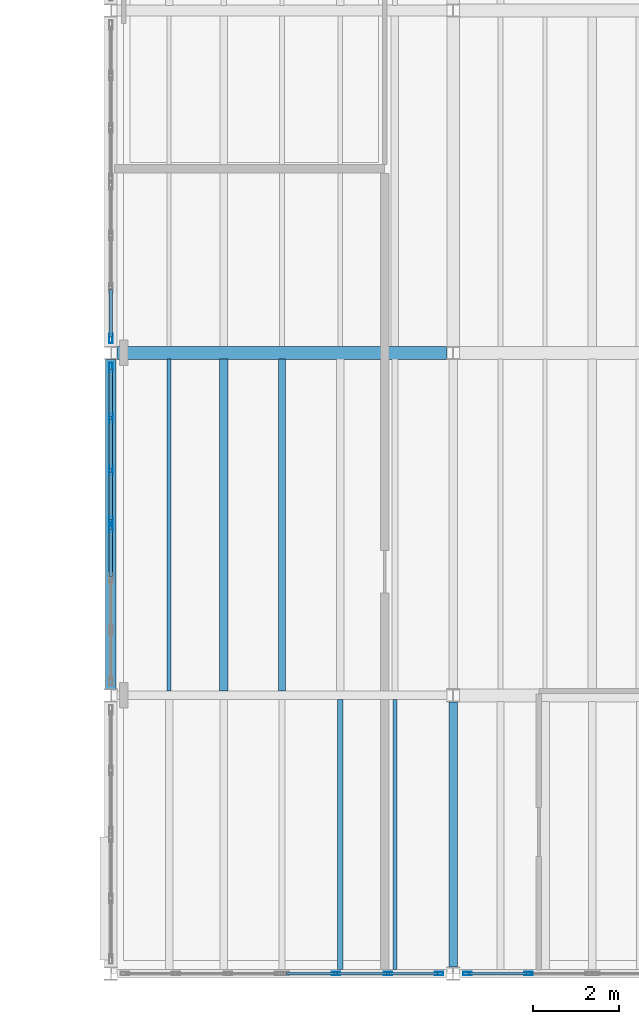
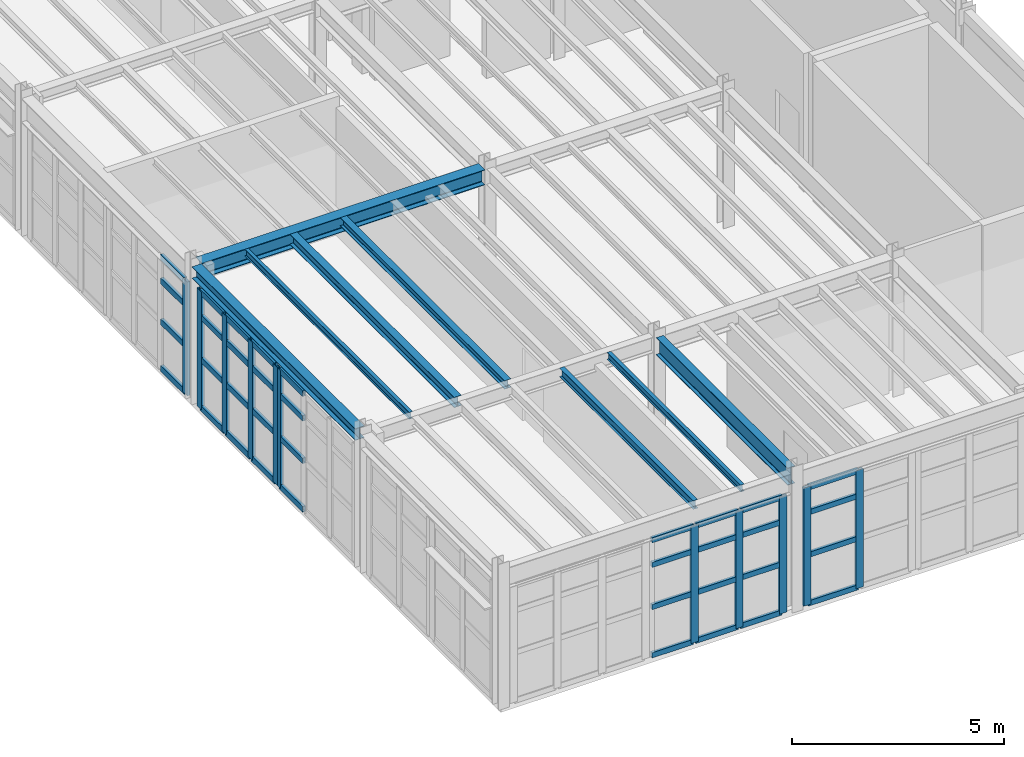
# One storey, part 4 of 27: 47 members, 8 beams, 5 elements without a shape of their own.
"""IFC4 building model written with IfcOpenShell, lengths in metres."""

import ifcopenshell
import ifcopenshell.guid

model = None  # the IFC model being written
_history = None  # IfcOwnerHistory: only IFC2X3 demands one
_inside = {}  # id of a spatial element -> (the spatial element, [elements in it])
_under = {}  # id of a project, library or spatial element -> (it, [spatial elements below it])
_declared = {}  # id of a project -> (the project, [libraries it declares])
_typed = {}  # id of a type object -> (the type object, [elements of that type])
_made_of = {}  # id of a material, layer set ... -> (it, [elements and type objects made of it])


def new_model(schema):
    """Start an empty IFC model of exactly this schema.

    Asked for "IFC4X3", IfcOpenShell would pick the latest addendum, in which some entities
    have other attributes; the version numbers below select the first issue.
    IFC2X3 requires an IfcOwnerHistory on every rooted entity: one is made here for all.
    """
    global model, _history
    if schema == "IFC4X3":
        model = ifcopenshell.file(schema_version=(4, 3, 0, 0))
    else:
        model = ifcopenshell.file(schema=schema)
    _inside.clear()
    _under.clear()
    _declared.clear()
    _typed.clear()
    _made_of.clear()
    _history = None
    if model.schema == "IFC2X3":
        org = make("IfcOrganization", Name="unknown")
        user = make(
            "IfcPersonAndOrganization",
            ThePerson=make("IfcPerson", FamilyName="unknown"),
            TheOrganization=org,
        )
        app = make(
            "IfcApplication",
            ApplicationDeveloper=org,
            Version="unknown",
            ApplicationFullName="unknown",
            ApplicationIdentifier="unknown",
        )
        _history = make(
            "IfcOwnerHistory",
            OwningUser=user,
            OwningApplication=app,
            ChangeAction="ADDED",
            CreationDate=0,
        )
    return model


def make(cls, **values):
    """One entity of the class cls with the attributes given. An attribute that is None is left unset."""
    return model.create_entity(
        cls, **{name: value for name, value in values.items() if value is not None}
    )


def rooted(cls, **values):
    """An entity with a GlobalId (a new one), such as an element, a storey or a relation."""
    return make(cls, GlobalId=ifcopenshell.guid.new(), OwnerHistory=_history, **values)


def si_unit(unit_type, name, prefix=None):
    """IfcSIUnit, for example si_unit("LENGTHUNIT", "METRE", prefix="MILLI")."""
    return make("IfcSIUnit", UnitType=unit_type, Prefix=prefix, Name=name)


def assignment(units):
    """IfcUnitAssignment: the units of a project."""
    return None if units is None else make("IfcUnitAssignment", Units=units)


def point(xyz):
    """IfcCartesianPoint."""
    return None if xyz is None else make("IfcCartesianPoint", Coordinates=xyz)


def direction(xyz):
    """IfcDirection."""
    return None if xyz is None else make("IfcDirection", DirectionRatios=xyz)


def frame(location, z_axis=None, x_axis=None):
    """IfcAxis2Placement3D, a coordinate frame: its origin and axes. An axis left out is left unset."""
    return make(
        "IfcAxis2Placement3D",
        Location=point(location),
        Axis=direction(z_axis),
        RefDirection=direction(x_axis),
    )


def frame_2d(location, x_axis=None):
    """IfcAxis2Placement2D, a coordinate frame in the plane: its origin and x axis."""
    return make(
        "IfcAxis2Placement2D", Location=point(location), RefDirection=direction(x_axis)
    )


def origin():
    """The frame at (0, 0, 0) with its axes left unset."""
    return frame((0.0, 0.0, 0.0))


def origin_2d():
    """The frame at (0, 0) in the plane with its x axis left unset."""
    return frame_2d((0.0, 0.0))


def place(relative_to, where):
    """IfcLocalPlacement: puts the frame where relative to a parent placement (None: the world)."""
    return make(
        "IfcLocalPlacement", PlacementRelTo=relative_to, RelativePlacement=where
    )


def context(
    kind, dimensions, precision=None, world=None, true_north=None, identifier=None
):
    """IfcGeometricRepresentationContext, for example the 3D "Model" context."""
    return make(
        "IfcGeometricRepresentationContext",
        ContextIdentifier=identifier,
        ContextType=kind,
        CoordinateSpaceDimension=dimensions,
        Precision=precision,
        WorldCoordinateSystem=world,
        TrueNorth=true_north,
    )


def subcontext(parent, identifier, kind, view, scale=None):
    """IfcGeometricRepresentationSubContext, for example "Body" below "Model"."""
    return make(
        "IfcGeometricRepresentationSubContext",
        ContextIdentifier=identifier,
        ContextType=kind,
        ParentContext=parent,
        TargetScale=scale,
        TargetView=view,
    )


def project(units=None, contexts=None):
    """IfcProject with its units and contexts."""
    return rooted(
        "IfcProject",
        Name="project",
        RepresentationContexts=contexts,
        UnitsInContext=assignment(units),
    )


def spatial(cls, under=None, at=None, **own):
    """A site, building, storey or space (cls), placed at a placement, below another one or the project."""
    s = rooted(cls, ObjectPlacement=at, **own)
    if under is not None:
        _under.setdefault(under.id(), (under, []))[1].append(s)
    return s


def profile(cls, at=None, kind="AREA", **sizes):
    """A parametric profile (cls). Its sizes go by their IFC names, for example OverallWidth=200.0."""
    return make(cls, ProfileType=kind, Position=at, **sizes)


def hollow_rectangle(**sizes):
    """IfcRectangleHollowProfileDef."""
    return profile("IfcRectangleHollowProfileDef", **sizes)


def i_section(**sizes):
    """IfcIShapeProfileDef."""
    return profile("IfcIShapeProfileDef", **sizes)


def extrude(swept, where, along, depth):
    """IfcExtrudedAreaSolid: the profile swept, set in the frame where, extruded along a direction by depth."""
    return make(
        "IfcExtrudedAreaSolid",
        SweptArea=swept,
        Position=where,
        ExtrudedDirection=direction(along),
        Depth=depth,
    )


def shape(context_of_items, identifier, shape_type, items):
    """IfcShapeRepresentation: the items that make up one representation, for example the "Body"."""
    return make(
        "IfcShapeRepresentation",
        ContextOfItems=context_of_items,
        RepresentationIdentifier=identifier,
        RepresentationType=shape_type,
        Items=items,
    )


def material(Name=None, Category=None):
    """IfcMaterial."""
    return make("IfcMaterial", Name=Name, Category=Category)


def material_profile(
    of_material, cross_section, Name=None, Category=None, Priority=None
):
    """IfcMaterialProfile: a cross section and its material."""
    return make(
        "IfcMaterialProfile",
        Name=Name,
        Material=of_material,
        Profile=cross_section,
        Priority=Priority,
        Category=Category,
    )


def profile_set(profiles, Name=None, composite=None):
    """IfcMaterialProfileSet."""
    return make(
        "IfcMaterialProfileSet",
        Name=Name,
        MaterialProfiles=profiles,
        CompositeProfile=composite,
    )


def made_of(thing, what):
    """Note that an element or type object is made of a material, layer set ...; save() writes the relation."""
    if what is not None:
        _made_of.setdefault(what.id(), (what, []))[1].append(thing)
    return thing


def type_object(cls, material=None, **own):
    """A type object (cls), such as IfcWallType, which elements share."""
    return made_of(rooted(cls, **own), material)


def element(
    cls,
    number,
    at=None,
    inside=None,
    cuts=None,
    type_object=None,
    material=None,
    context=None,
    identifier="Body",
    shape_type=None,
    held_by="IfcProductDefinitionShape",
    body=None,
    shapes=None,
    **own,
):
    """One element of the class cls, such as IfcWall. Its Tag is "e" and its number.

    at: its placement. inside: the storey or other place that contains it. cuts: it is an
    opening in that element (IfcRelVoidsElement). A single representation is given by context,
    identifier, shape_type and body (its items); several are given by shapes. held_by: the class
    of the entity that holds the representations. save() writes the other relations.
    """
    e = rooted(cls, Tag="e%d" % number, ObjectPlacement=at, **own)
    if body is not None:
        shapes = [shape(context, identifier, shape_type, body)]
    if shapes is not None:
        e.Representation = make(held_by, Representations=shapes)
    if inside is not None:
        _inside.setdefault(inside.id(), (inside, []))[1].append(e)
    if cuts is not None:
        rooted(
            "IfcRelVoidsElement", RelatingBuildingElement=cuts, RelatedOpeningElement=e
        )
    if type_object is not None:
        _typed.setdefault(type_object.id(), (type_object, []))[1].append(e)
    return made_of(e, material)


def aggregate(whole, parts):
    """IfcRelAggregates: a whole, such as a stair, and the parts it consists of."""
    return rooted("IfcRelAggregates", RelatingObject=whole, RelatedObjects=parts)


def save(model, path):
    """Write the relations noted so far, then the file.

    IfcRelAggregates (storeys below a building ...), IfcRelContainedInSpatialStructure (elements
    in a storey), IfcRelDefinesByType, IfcRelAssociatesMaterial and IfcRelDeclares: one each for
    every whole, place, type object, material and project.
    """
    for whole, parts in _under.values():
        aggregate(whole, parts)
    for where, things in _inside.values():
        rooted(
            "IfcRelContainedInSpatialStructure",
            RelatedElements=things,
            RelatingStructure=where,
        )
    for kind, things in _typed.values():
        rooted("IfcRelDefinesByType", RelatedObjects=things, RelatingType=kind)
    for what, things in _made_of.values():
        rooted("IfcRelAssociatesMaterial", RelatedObjects=things, RelatingMaterial=what)
    for by, libraries in _declared.values():
        rooted("IfcRelDeclares", RelatingContext=by, RelatedDefinitions=libraries)
    model.write(path)


model = new_model("IFC4")

# Units and contexts
model_context = context("Model", 3, precision=1e-05, world=origin(), true_north=direction((0.0, 1.0)))
body_context = subcontext(model_context, "Body", "Model", "MODEL_VIEW")
ifc_project = project(units=[si_unit("LENGTHUNIT", "METRE"), si_unit("AREAUNIT", "SQUARE_METRE"), si_unit("VOLUMEUNIT", "CUBIC_METRE"), si_unit("PLANEANGLEUNIT", "RADIAN"), si_unit("MASSUNIT", "GRAM", prefix="KILO"), si_unit("THERMODYNAMICTEMPERATUREUNIT", "KELVIN"), si_unit("POWERUNIT", "WATT")], contexts=[model_context])

# Site, building, storey
site_placement = place(None, origin())
site = spatial("IfcSite", under=ifc_project, at=site_placement, CompositionType="ELEMENT")
building_placement = place(site_placement, origin())
building = spatial("IfcBuilding", under=site, at=building_placement, Name="Zhenchuan Central Fire Station", CompositionType="ELEMENT")
storey_placement = place(building_placement, frame((0.0, 0.0, 14.25)))
storey = spatial("IfcBuildingStorey", under=building, at=storey_placement, Name="L04", CompositionType="ELEMENT", Elevation=14.25)

# Beams
ifc_material_1 = material(Name="Steel Q355B", Category="steel")
ifc_material_profile_1 = material_profile(ifc_material_1, i_section(OverallWidth=0.25, OverallDepth=0.340087890625, WebThickness=0.009033203125, FlangeThickness=0.013916015625, FilletRadius=0.01806640625, at=origin_2d()), Name="HM 340x250")
ifc_profile_set_1 = profile_set([ifc_material_profile_1], Name="Steel Q355B")
beam_type_1 = type_object("IfcBeamType", Name="BM-HM340", PredefinedType="BEAM", material=ifc_profile_set_1)
beam_1_placement = place(storey_placement, frame((140.0, 6.64990234375, 3.81005859375), z_axis=(0.0, 1.0, 0.0), x_axis=(-1.0, 0.0, 0.0)))
element("IfcBeam", 1, at=beam_1_placement, inside=storey, type_object=beam_type_1, Name="L05 Girder NS 0460", PredefinedType="BEAM", context=body_context, shape_type="SweptSolid", body=[
    extrude(i_section(OverallWidth=0.25, OverallDepth=0.340087890625, WebThickness=0.009033203125, FlangeThickness=0.013916015625, FilletRadius=0.01806640625, at=origin_2d()), origin(), (0.0, 0.0, 1.0), 7.7001953125),
])
ifc_material_profile_2 = material_profile(ifc_material_1, i_section(OverallWidth=0.300048828125, OverallDepth=0.43994140625, WebThickness=0.010986328125, FlangeThickness=0.01806640625, FilletRadius=0.02197265625, at=origin_2d()), Name="HM 440x300")
ifc_profile_set_2 = profile_set([ifc_material_profile_2], Name="Steel Q355B")
beam_type_2 = type_object("IfcBeamType", Name="BM-HM440-INT", PredefinedType="BEAM", material=ifc_profile_set_2)
beam_2_placement = place(storey_placement, frame((140.14990234375, 14.5, 3.760009765625), z_axis=(1.0, 0.0, 0.0), x_axis=(0.0, 1.0, 0.0)))
element("IfcBeam", 2, at=beam_2_placement, inside=storey, type_object=beam_type_2, Name="L05 Girder EW 0436", PredefinedType="BEAM", context=body_context, shape_type="SweptSolid", body=[
    extrude(i_section(OverallWidth=0.300048828125, OverallDepth=0.43994140625, WebThickness=0.010986328125, FlangeThickness=0.01806640625, FilletRadius=0.02197265625, at=origin_2d()), origin(), (0.0, 0.0, 1.0), 7.7001953125),
])
ifc_material_profile_3 = material_profile(ifc_material_1, i_section(OverallWidth=0.199951171875, OverallDepth=0.5, WebThickness=0.010009765625, FlangeThickness=0.01611328125, FilletRadius=0.02001953125, at=origin_2d()), Name="HN 500x200")
ifc_profile_set_3 = profile_set([ifc_material_profile_3], Name="Steel Q355B")
beam_type_3 = type_object("IfcBeamType", Name="BM-HN500-INT", PredefinedType="BEAM", material=ifc_profile_set_3)
beam_3_placement = place(storey_placement, frame((148.0, 0.14990234375, 3.72998046875), z_axis=(0.0, 1.0, 0.0), x_axis=(-1.0, 0.0, 0.0)))
element("IfcBeam", 3, at=beam_3_placement, inside=storey, type_object=beam_type_3, Name="L05 Girder NS 0466", PredefinedType="BEAM", context=body_context, shape_type="SweptSolid", body=[
    extrude(i_section(OverallWidth=0.199951171875, OverallDepth=0.5, WebThickness=0.010009765625, FlangeThickness=0.01611328125, FilletRadius=0.02001953125, at=origin_2d()), origin(), (0.0, 0.0, 1.0), 6.2001953125),
])

# Curtain wall, members
ifc_material_2 = material(Name="Anodised aluminium and low-E glazing", Category="aluminium")
curtain_wall_type_1 = type_object("IfcCurtainWallType", Name="CW-MOD-08", PredefinedType="USERDEFINED", material=ifc_material_2)
curtain_wall_1_placement = place(storey_placement, origin())
curtain_wall_1 = element("IfcCurtainWall", 4, at=curtain_wall_1_placement, inside=storey, type_object=curtain_wall_type_1, Name="L04 Unitised Curtain Wall 123", ObjectType="UNITISED GLAZING", PredefinedType="USERDEFINED")
ifc_material_3 = material(Name="Anodised aluminium EN AW-6063", Category="aluminium")
ifc_material_profile_4 = material_profile(ifc_material_3, hollow_rectangle(XDim=0.074951171875, YDim=0.199951171875, WallThickness=0.0048828125, at=origin_2d()), Name="ALU-M 200x75")
ifc_profile_set_4 = profile_set([ifc_material_profile_4], Name="Anodised aluminium EN AW-6063")
member_type_1 = type_object("IfcMemberType", Name="CW-MUL160", PredefinedType="MULLION", material=ifc_profile_set_4)
member_1_placement = place(storey_placement, frame((145.258544921875, 0.0, -0.00390625), z_axis=(0.0, 0.0, 1.0), x_axis=(0.0, 1.0, 0.0)))
member_1 = element("IfcMember", 5, at=member_1_placement, type_object=member_type_1, Name="CW-08 mullion 2", PredefinedType="MULLION", context=body_context, shape_type="SweptSolid", body=[
    extrude(hollow_rectangle(XDim=0.074951171875, YDim=0.199951171875, WallThickness=0.0048828125, at=origin_2d()), origin(), (0.0, 0.0, 1.0), 3.3779296875),
])
member_2_placement = place(storey_placement, frame((146.479248046875, 0.0, -0.00390625), z_axis=(0.0, 0.0, 1.0), x_axis=(0.0, 1.0, 0.0)))
member_2 = element("IfcMember", 6, at=member_2_placement, type_object=member_type_1, Name="CW-08 mullion 3", PredefinedType="MULLION", context=body_context, shape_type="SweptSolid", body=[
    extrude(hollow_rectangle(XDim=0.074951171875, YDim=0.199951171875, WallThickness=0.0048828125, at=origin_2d()), origin(), (0.0, 0.0, 1.0), 3.3779296875),
])
member_3_placement = place(storey_placement, frame((147.66748046875, 0.0, -0.00390625), z_axis=(0.0, 0.0, 1.0), x_axis=(0.0, 1.0, 0.0)))
member_3 = element("IfcMember", 7, at=member_3_placement, type_object=member_type_1, Name="CW-08 mullion 4", PredefinedType="MULLION", context=body_context, shape_type="SweptSolid", body=[
    extrude(hollow_rectangle(XDim=0.074951171875, YDim=0.199951171875, WallThickness=0.0048828125, at=origin_2d()), origin(), (0.0, 0.0, 1.0), 3.3779296875),
])

curtain_wall_2_placement = place(storey_placement, origin())
curtain_wall_2 = element("IfcCurtainWall", 8, at=curtain_wall_2_placement, inside=storey, type_object=curtain_wall_type_1, Name="L04 Unitised Curtain Wall 124", ObjectType="UNITISED GLAZING", PredefinedType="USERDEFINED")
member_4_placement = place(storey_placement, frame((148.33251953125, 0.0, -0.00390625), z_axis=(0.0, 0.0, 1.0), x_axis=(0.0, 1.0, 0.0)))
member_4 = element("IfcMember", 9, at=member_4_placement, type_object=member_type_1, Name="CW-08 mullion 1", PredefinedType="MULLION", context=body_context, shape_type="SweptSolid", body=[
    extrude(hollow_rectangle(XDim=0.074951171875, YDim=0.199951171875, WallThickness=0.0048828125, at=origin_2d()), origin(), (0.0, 0.0, 1.0), 3.40380859375),
])
member_5_placement = place(storey_placement, frame((149.756103515625, 0.0, -0.00390625), z_axis=(0.0, 0.0, 1.0), x_axis=(0.0, 1.0, 0.0)))
member_5 = element("IfcMember", 10, at=member_5_placement, type_object=member_type_1, Name="CW-08 mullion 2", PredefinedType="MULLION", context=body_context, shape_type="SweptSolid", body=[
    extrude(hollow_rectangle(XDim=0.074951171875, YDim=0.199951171875, WallThickness=0.0048828125, at=origin_2d()), origin(), (0.0, 0.0, 1.0), 3.40380859375),
])

# Curtain wall, member
curtain_wall_type_2 = type_object("IfcCurtainWallType", Name="CW-MOD-13", PredefinedType="USERDEFINED", material=ifc_material_2)
curtain_wall_3_placement = place(storey_placement, origin())
curtain_wall_3 = element("IfcCurtainWall", 11, at=curtain_wall_3_placement, inside=storey, type_object=curtain_wall_type_2, Name="L04 Unitised Curtain Wall 134", ObjectType="UNITISED GLAZING", PredefinedType="USERDEFINED")
ifc_material_profile_5 = material_profile(ifc_material_3, hollow_rectangle(XDim=0.080078125, YDim=0.219970703125, WallThickness=0.005615234375, at=origin_2d()), Name="ALU-M 220x80")
ifc_profile_set_5 = profile_set([ifc_material_profile_5], Name="Anodised aluminium EN AW-6063")
member_type_2 = type_object("IfcMemberType", Name="CW-MUL200", PredefinedType="MULLION", material=ifc_profile_set_5)
member_6_placement = place(storey_placement, frame((140.0, 10.424560546875, -0.00390625), z_axis=(0.0, 0.0, 1.0), x_axis=(-1.0, 0.0, 0.0)))
member_6 = element("IfcMember", 12, at=member_6_placement, type_object=member_type_2, Name="CW-13 mullion 4", PredefinedType="MULLION", context=body_context, shape_type="SweptSolid", body=[
    extrude(hollow_rectangle(XDim=0.080078125, YDim=0.219970703125, WallThickness=0.005615234375, at=origin_2d()), origin(), (0.0, 0.0, 1.0), 3.40380859375),
])

# Curtain wall, members
curtain_wall_type_3 = type_object("IfcCurtainWallType", Name="CW-MOD-14", PredefinedType="USERDEFINED", material=ifc_material_2)
curtain_wall_4_placement = place(storey_placement, origin())
curtain_wall_4 = element("IfcCurtainWall", 13, at=curtain_wall_4_placement, inside=storey, type_object=curtain_wall_type_3, Name="L04 Unitised Curtain Wall 135", ObjectType="UNITISED GLAZING", PredefinedType="USERDEFINED")
member_7_placement = place(storey_placement, frame((140.0, 10.575439453125, -0.00390625), z_axis=(0.0, 0.0, 1.0), x_axis=(-1.0, 0.0, 0.0)))
member_7 = element("IfcMember", 14, at=member_7_placement, type_object=member_type_2, Name="CW-14 mullion 1", PredefinedType="MULLION", context=body_context, shape_type="SweptSolid", body=[
    extrude(hollow_rectangle(XDim=0.080078125, YDim=0.219970703125, WallThickness=0.005615234375, at=origin_2d()), origin(), (0.0, 0.0, 1.0), 3.40380859375),
])
member_8_placement = place(storey_placement, frame((140.0, 11.758544921875, -0.00390625), z_axis=(0.0, 0.0, 1.0), x_axis=(-1.0, 0.0, 0.0)))
member_8 = element("IfcMember", 15, at=member_8_placement, type_object=member_type_2, Name="CW-14 mullion 2", PredefinedType="MULLION", context=body_context, shape_type="SweptSolid", body=[
    extrude(hollow_rectangle(XDim=0.080078125, YDim=0.219970703125, WallThickness=0.005615234375, at=origin_2d()), origin(), (0.0, 0.0, 1.0), 3.40380859375),
])
member_9_placement = place(storey_placement, frame((140.0, 12.979248046875, -0.00390625), z_axis=(0.0, 0.0, 1.0), x_axis=(-1.0, 0.0, 0.0)))
member_9 = element("IfcMember", 16, at=member_9_placement, type_object=member_type_2, Name="CW-14 mullion 3", PredefinedType="MULLION", context=body_context, shape_type="SweptSolid", body=[
    extrude(hollow_rectangle(XDim=0.080078125, YDim=0.219970703125, WallThickness=0.005615234375, at=origin_2d()), origin(), (0.0, 0.0, 1.0), 3.40380859375),
])
member_10_placement = place(storey_placement, frame((140.0, 14.16259765625, -0.00390625), z_axis=(0.0, 0.0, 1.0), x_axis=(-1.0, 0.0, 0.0)))
member_10 = element("IfcMember", 17, at=member_10_placement, type_object=member_type_2, Name="CW-14 mullion 4", PredefinedType="MULLION", context=body_context, shape_type="SweptSolid", body=[
    extrude(hollow_rectangle(XDim=0.080078125, YDim=0.219970703125, WallThickness=0.005615234375, at=origin_2d()), origin(), (0.0, 0.0, 1.0), 3.40380859375),
])

# Curtain wall, member
curtain_wall_5_placement = place(storey_placement, origin())
curtain_wall_5 = element("IfcCurtainWall", 18, at=curtain_wall_5_placement, inside=storey, type_object=curtain_wall_type_3, Name="L04 Unitised Curtain Wall 136", ObjectType="UNITISED GLAZING", PredefinedType="USERDEFINED")
member_11_placement = place(storey_placement, frame((140.0, 14.83740234375, -0.00390625), z_axis=(0.0, 0.0, 1.0), x_axis=(-1.0, 0.0, 0.0)))
member_11 = element("IfcMember", 19, at=member_11_placement, type_object=member_type_2, Name="CW-14 mullion 1", PredefinedType="MULLION", context=body_context, shape_type="SweptSolid", body=[
    extrude(hollow_rectangle(XDim=0.080078125, YDim=0.219970703125, WallThickness=0.005615234375, at=origin_2d()), origin(), (0.0, 0.0, 1.0), 3.27783203125),
])

# Member
ifc_material_profile_6 = material_profile(ifc_material_3, hollow_rectangle(XDim=0.074951171875, YDim=0.14990234375, WallThickness=0.0048828125, at=origin_2d()), Name="ALU-T 150x75")
ifc_profile_set_6 = profile_set([ifc_material_profile_6], Name="Anodised aluminium EN AW-6063")
member_type_3 = type_object("IfcMemberType", Name="CW-TRN130", PredefinedType="NOTDEFINED", material=ifc_profile_set_6)
member_12_placement = place(storey_placement, frame((144.10302734375, 0.0, 0.028564453125), z_axis=(1.0, 0.0, 0.0), x_axis=(0.0, 1.0, 0.0)))
member_12 = element("IfcMember", 20, at=member_12_placement, type_object=member_type_3, Name="CW-08 transom 1.1", ObjectType="TRANSOM", PredefinedType="USERDEFINED", context=body_context, shape_type="SweptSolid", body=[
    extrude(hollow_rectangle(XDim=0.074951171875, YDim=0.14990234375, WallThickness=0.0048828125, at=origin_2d()), origin(), (0.0, 0.0, 1.0), 1.123046875),
])

member_13_placement = place(storey_placement, frame((144.10302734375, 0.0, 1.4169921875), z_axis=(1.0, 0.0, 0.0), x_axis=(0.0, 1.0, 0.0)))
member_13 = element("IfcMember", 21, at=member_13_placement, type_object=member_type_3, Name="CW-08 transom 1.2", ObjectType="TRANSOM", PredefinedType="USERDEFINED", context=body_context, shape_type="SweptSolid", body=[
    extrude(hollow_rectangle(XDim=0.074951171875, YDim=0.14990234375, WallThickness=0.0048828125, at=origin_2d()), origin(), (0.0, 0.0, 1.0), 1.123046875),
])

member_14_placement = place(storey_placement, frame((144.10302734375, 0.0, 2.631591796875), z_axis=(1.0, 0.0, 0.0), x_axis=(0.0, 1.0, 0.0)))
member_14 = element("IfcMember", 22, at=member_14_placement, type_object=member_type_3, Name="CW-08 transom 1.3", ObjectType="TRANSOM", PredefinedType="USERDEFINED", context=body_context, shape_type="SweptSolid", body=[
    extrude(hollow_rectangle(XDim=0.074951171875, YDim=0.14990234375, WallThickness=0.0048828125, at=origin_2d()), origin(), (0.0, 0.0, 1.0), 1.123046875),
])

member_15_placement = place(storey_placement, frame((144.10302734375, 0.0, 3.341552734375), z_axis=(1.0, 0.0, 0.0), x_axis=(0.0, 1.0, 0.0)))
member_15 = element("IfcMember", 23, at=member_15_placement, type_object=member_type_3, Name="CW-08 transom 1.4", ObjectType="TRANSOM", PredefinedType="USERDEFINED", context=body_context, shape_type="SweptSolid", body=[
    extrude(hollow_rectangle(XDim=0.074951171875, YDim=0.14990234375, WallThickness=0.0048828125, at=origin_2d()), origin(), (0.0, 0.0, 1.0), 1.123046875),
])

member_16_placement = place(storey_placement, frame((145.291259765625, 0.0, 0.028564453125), z_axis=(1.0, 0.0, 0.0), x_axis=(0.0, 1.0, 0.0)))
member_16 = element("IfcMember", 24, at=member_16_placement, type_object=member_type_3, Name="CW-08 transom 2.1", ObjectType="TRANSOM", PredefinedType="USERDEFINED", context=body_context, shape_type="SweptSolid", body=[
    extrude(hollow_rectangle(XDim=0.074951171875, YDim=0.14990234375, WallThickness=0.0048828125, at=origin_2d()), origin(), (0.0, 0.0, 1.0), 1.155517578125),
])

member_17_placement = place(storey_placement, frame((145.291259765625, 0.0, 1.4169921875), z_axis=(1.0, 0.0, 0.0), x_axis=(0.0, 1.0, 0.0)))
member_17 = element("IfcMember", 25, at=member_17_placement, type_object=member_type_3, Name="CW-08 transom 2.2", ObjectType="TRANSOM", PredefinedType="USERDEFINED", context=body_context, shape_type="SweptSolid", body=[
    extrude(hollow_rectangle(XDim=0.074951171875, YDim=0.14990234375, WallThickness=0.0048828125, at=origin_2d()), origin(), (0.0, 0.0, 1.0), 1.155517578125),
])

member_18_placement = place(storey_placement, frame((145.291259765625, 0.0, 2.631591796875), z_axis=(1.0, 0.0, 0.0), x_axis=(0.0, 1.0, 0.0)))
member_18 = element("IfcMember", 26, at=member_18_placement, type_object=member_type_3, Name="CW-08 transom 2.3", ObjectType="TRANSOM", PredefinedType="USERDEFINED", context=body_context, shape_type="SweptSolid", body=[
    extrude(hollow_rectangle(XDim=0.074951171875, YDim=0.14990234375, WallThickness=0.0048828125, at=origin_2d()), origin(), (0.0, 0.0, 1.0), 1.155517578125),
])

member_19_placement = place(storey_placement, frame((145.291259765625, 0.0, 3.341552734375), z_axis=(1.0, 0.0, 0.0), x_axis=(0.0, 1.0, 0.0)))
member_19 = element("IfcMember", 27, at=member_19_placement, type_object=member_type_3, Name="CW-08 transom 2.4", ObjectType="TRANSOM", PredefinedType="USERDEFINED", context=body_context, shape_type="SweptSolid", body=[
    extrude(hollow_rectangle(XDim=0.074951171875, YDim=0.14990234375, WallThickness=0.0048828125, at=origin_2d()), origin(), (0.0, 0.0, 1.0), 1.155517578125),
])

member_20_placement = place(storey_placement, frame((146.51171875, 0.0, 0.028564453125), z_axis=(1.0, 0.0, 0.0), x_axis=(0.0, 1.0, 0.0)))
member_20 = element("IfcMember", 28, at=member_20_placement, type_object=member_type_3, Name="CW-08 transom 3.1", ObjectType="TRANSOM", PredefinedType="USERDEFINED", context=body_context, shape_type="SweptSolid", body=[
    extrude(hollow_rectangle(XDim=0.074951171875, YDim=0.14990234375, WallThickness=0.0048828125, at=origin_2d()), origin(), (0.0, 0.0, 1.0), 1.123291015625),
])

member_21_placement = place(storey_placement, frame((146.51171875, 0.0, 1.4169921875), z_axis=(1.0, 0.0, 0.0), x_axis=(0.0, 1.0, 0.0)))
member_21 = element("IfcMember", 29, at=member_21_placement, type_object=member_type_3, Name="CW-08 transom 3.2", ObjectType="TRANSOM", PredefinedType="USERDEFINED", context=body_context, shape_type="SweptSolid", body=[
    extrude(hollow_rectangle(XDim=0.074951171875, YDim=0.14990234375, WallThickness=0.0048828125, at=origin_2d()), origin(), (0.0, 0.0, 1.0), 1.123291015625),
])

member_22_placement = place(storey_placement, frame((146.51171875, 0.0, 2.631591796875), z_axis=(1.0, 0.0, 0.0), x_axis=(0.0, 1.0, 0.0)))
member_22 = element("IfcMember", 30, at=member_22_placement, type_object=member_type_3, Name="CW-08 transom 3.3", ObjectType="TRANSOM", PredefinedType="USERDEFINED", context=body_context, shape_type="SweptSolid", body=[
    extrude(hollow_rectangle(XDim=0.074951171875, YDim=0.14990234375, WallThickness=0.0048828125, at=origin_2d()), origin(), (0.0, 0.0, 1.0), 1.123291015625),
])

member_23_placement = place(storey_placement, frame((146.51171875, 0.0, 3.341552734375), z_axis=(1.0, 0.0, 0.0), x_axis=(0.0, 1.0, 0.0)))
member_23 = element("IfcMember", 31, at=member_23_placement, type_object=member_type_3, Name="CW-08 transom 3.4", ObjectType="TRANSOM", PredefinedType="USERDEFINED", context=body_context, shape_type="SweptSolid", body=[
    extrude(hollow_rectangle(XDim=0.074951171875, YDim=0.14990234375, WallThickness=0.0048828125, at=origin_2d()), origin(), (0.0, 0.0, 1.0), 1.123291015625),
])

aggregate(curtain_wall_1, [member_1, member_2, member_3, member_12, member_13, member_14, member_15, member_16, member_17, member_18, member_19, member_20, member_21, member_22, member_23])

member_24_placement = place(storey_placement, frame((148.364990234375, 0.0, 0.028564453125), z_axis=(1.0, 0.0, 0.0), x_axis=(0.0, 1.0, 0.0)))
member_24 = element("IfcMember", 32, at=member_24_placement, type_object=member_type_3, Name="CW-08 transom 1.1", ObjectType="TRANSOM", PredefinedType="USERDEFINED", context=body_context, shape_type="SweptSolid", body=[
    extrude(hollow_rectangle(XDim=0.074951171875, YDim=0.14990234375, WallThickness=0.0048828125, at=origin_2d()), origin(), (0.0, 0.0, 1.0), 1.3583984375),
])

member_25_placement = place(storey_placement, frame((148.364990234375, 0.0, 1.427978515625), z_axis=(1.0, 0.0, 0.0), x_axis=(0.0, 1.0, 0.0)))
member_25 = element("IfcMember", 33, at=member_25_placement, type_object=member_type_3, Name="CW-08 transom 1.2", ObjectType="TRANSOM", PredefinedType="USERDEFINED", context=body_context, shape_type="SweptSolid", body=[
    extrude(hollow_rectangle(XDim=0.074951171875, YDim=0.14990234375, WallThickness=0.0048828125, at=origin_2d()), origin(), (0.0, 0.0, 1.0), 1.3583984375),
])

member_26_placement = place(storey_placement, frame((148.364990234375, 0.0, 2.652099609375), z_axis=(1.0, 0.0, 0.0), x_axis=(0.0, 1.0, 0.0)))
member_26 = element("IfcMember", 34, at=member_26_placement, type_object=member_type_3, Name="CW-08 transom 1.3", ObjectType="TRANSOM", PredefinedType="USERDEFINED", context=body_context, shape_type="SweptSolid", body=[
    extrude(hollow_rectangle(XDim=0.074951171875, YDim=0.14990234375, WallThickness=0.0048828125, at=origin_2d()), origin(), (0.0, 0.0, 1.0), 1.3583984375),
])

member_27_placement = place(storey_placement, frame((148.364990234375, 0.0, 3.367431640625), z_axis=(1.0, 0.0, 0.0), x_axis=(0.0, 1.0, 0.0)))
member_27 = element("IfcMember", 35, at=member_27_placement, type_object=member_type_3, Name="CW-08 transom 1.4", ObjectType="TRANSOM", PredefinedType="USERDEFINED", context=body_context, shape_type="SweptSolid", body=[
    extrude(hollow_rectangle(XDim=0.074951171875, YDim=0.14990234375, WallThickness=0.0048828125, at=origin_2d()), origin(), (0.0, 0.0, 1.0), 1.3583984375),
])

aggregate(curtain_wall_2, [member_4, member_5, member_24, member_25, member_26, member_27])

ifc_material_profile_7 = material_profile(ifc_material_3, hollow_rectangle(XDim=0.080078125, YDim=0.1650390625, WallThickness=0.0048828125, at=origin_2d()), Name="ALU-T 165x80")
ifc_profile_set_7 = profile_set([ifc_material_profile_7], Name="Anodised aluminium EN AW-6063")
member_type_4 = type_object("IfcMemberType", Name="CW-TRN150", PredefinedType="NOTDEFINED", material=ifc_profile_set_7)
member_28_placement = place(storey_placement, frame((140.0, 9.27880859375, 0.033447265625), z_axis=(0.0, 1.0, 0.0), x_axis=(-1.0, 0.0, 0.0)))
member_28 = element("IfcMember", 36, at=member_28_placement, type_object=member_type_4, Name="CW-13 transom 3.1", ObjectType="TRANSOM", PredefinedType="USERDEFINED", context=body_context, shape_type="SweptSolid", body=[
    extrude(hollow_rectangle(XDim=0.080078125, YDim=0.1650390625, WallThickness=0.0048828125, at=origin_2d()), origin(), (0.0, 0.0, 1.0), 1.108154296875),
])

member_29_placement = place(storey_placement, frame((140.0, 9.27880859375, 1.427978515625), z_axis=(0.0, 1.0, 0.0), x_axis=(-1.0, 0.0, 0.0)))
member_29 = element("IfcMember", 37, at=member_29_placement, type_object=member_type_4, Name="CW-13 transom 3.2", ObjectType="TRANSOM", PredefinedType="USERDEFINED", context=body_context, shape_type="SweptSolid", body=[
    extrude(hollow_rectangle(XDim=0.080078125, YDim=0.1650390625, WallThickness=0.0048828125, at=origin_2d()), origin(), (0.0, 0.0, 1.0), 1.108154296875),
])

member_30_placement = place(storey_placement, frame((140.0, 9.27880859375, 2.652099609375), z_axis=(0.0, 1.0, 0.0), x_axis=(-1.0, 0.0, 0.0)))
member_30 = element("IfcMember", 38, at=member_30_placement, type_object=member_type_4, Name="CW-13 transom 3.3", ObjectType="TRANSOM", PredefinedType="USERDEFINED", context=body_context, shape_type="SweptSolid", body=[
    extrude(hollow_rectangle(XDim=0.080078125, YDim=0.1650390625, WallThickness=0.0048828125, at=origin_2d()), origin(), (0.0, 0.0, 1.0), 1.108154296875),
])

member_31_placement = place(storey_placement, frame((140.0, 9.27880859375, 3.362548828125), z_axis=(0.0, 1.0, 0.0), x_axis=(-1.0, 0.0, 0.0)))
member_31 = element("IfcMember", 39, at=member_31_placement, type_object=member_type_4, Name="CW-13 transom 3.4", ObjectType="TRANSOM", PredefinedType="USERDEFINED", context=body_context, shape_type="SweptSolid", body=[
    extrude(hollow_rectangle(XDim=0.080078125, YDim=0.1650390625, WallThickness=0.0048828125, at=origin_2d()), origin(), (0.0, 0.0, 1.0), 1.108154296875),
])

aggregate(curtain_wall_3, [member_6, member_28, member_29, member_30, member_31])

member_32_placement = place(storey_placement, frame((140.0, 10.613037109375, 0.033447265625), z_axis=(0.0, 1.0, 0.0), x_axis=(-1.0, 0.0, 0.0)))
member_32 = element("IfcMember", 40, at=member_32_placement, type_object=member_type_4, Name="CW-14 transom 1.1", ObjectType="TRANSOM", PredefinedType="USERDEFINED", context=body_context, shape_type="SweptSolid", body=[
    extrude(hollow_rectangle(XDim=0.080078125, YDim=0.1650390625, WallThickness=0.0048828125, at=origin_2d()), origin(), (0.0, 0.0, 1.0), 1.108154296875),
])

member_33_placement = place(storey_placement, frame((140.0, 10.613037109375, 1.427978515625), z_axis=(0.0, 1.0, 0.0), x_axis=(-1.0, 0.0, 0.0)))
member_33 = element("IfcMember", 41, at=member_33_placement, type_object=member_type_4, Name="CW-14 transom 1.2", ObjectType="TRANSOM", PredefinedType="USERDEFINED", context=body_context, shape_type="SweptSolid", body=[
    extrude(hollow_rectangle(XDim=0.080078125, YDim=0.1650390625, WallThickness=0.0048828125, at=origin_2d()), origin(), (0.0, 0.0, 1.0), 1.108154296875),
])

member_34_placement = place(storey_placement, frame((140.0, 10.613037109375, 2.652099609375), z_axis=(0.0, 1.0, 0.0), x_axis=(-1.0, 0.0, 0.0)))
member_34 = element("IfcMember", 42, at=member_34_placement, type_object=member_type_4, Name="CW-14 transom 1.3", ObjectType="TRANSOM", PredefinedType="USERDEFINED", context=body_context, shape_type="SweptSolid", body=[
    extrude(hollow_rectangle(XDim=0.080078125, YDim=0.1650390625, WallThickness=0.0048828125, at=origin_2d()), origin(), (0.0, 0.0, 1.0), 1.108154296875),
])

member_35_placement = place(storey_placement, frame((140.0, 10.613037109375, 3.362548828125), z_axis=(0.0, 1.0, 0.0), x_axis=(-1.0, 0.0, 0.0)))
member_35 = element("IfcMember", 43, at=member_35_placement, type_object=member_type_4, Name="CW-14 transom 1.4", ObjectType="TRANSOM", PredefinedType="USERDEFINED", context=body_context, shape_type="SweptSolid", body=[
    extrude(hollow_rectangle(XDim=0.080078125, YDim=0.1650390625, WallThickness=0.0048828125, at=origin_2d()), origin(), (0.0, 0.0, 1.0), 1.108154296875),
])

member_36_placement = place(storey_placement, frame((140.0, 11.796142578125, 0.033447265625), z_axis=(0.0, 1.0, 0.0), x_axis=(-1.0, 0.0, 0.0)))
member_36 = element("IfcMember", 44, at=member_36_placement, type_object=member_type_4, Name="CW-14 transom 2.1", ObjectType="TRANSOM", PredefinedType="USERDEFINED", context=body_context, shape_type="SweptSolid", body=[
    extrude(hollow_rectangle(XDim=0.080078125, YDim=0.1650390625, WallThickness=0.0048828125, at=origin_2d()), origin(), (0.0, 0.0, 1.0), 1.145751953125),
])

member_37_placement = place(storey_placement, frame((140.0, 11.796142578125, 1.427978515625), z_axis=(0.0, 1.0, 0.0), x_axis=(-1.0, 0.0, 0.0)))
member_37 = element("IfcMember", 45, at=member_37_placement, type_object=member_type_4, Name="CW-14 transom 2.2", ObjectType="TRANSOM", PredefinedType="USERDEFINED", context=body_context, shape_type="SweptSolid", body=[
    extrude(hollow_rectangle(XDim=0.080078125, YDim=0.1650390625, WallThickness=0.0048828125, at=origin_2d()), origin(), (0.0, 0.0, 1.0), 1.145751953125),
])

member_38_placement = place(storey_placement, frame((140.0, 11.796142578125, 2.652099609375), z_axis=(0.0, 1.0, 0.0), x_axis=(-1.0, 0.0, 0.0)))
member_38 = element("IfcMember", 46, at=member_38_placement, type_object=member_type_4, Name="CW-14 transom 2.3", ObjectType="TRANSOM", PredefinedType="USERDEFINED", context=body_context, shape_type="SweptSolid", body=[
    extrude(hollow_rectangle(XDim=0.080078125, YDim=0.1650390625, WallThickness=0.0048828125, at=origin_2d()), origin(), (0.0, 0.0, 1.0), 1.145751953125),
])

member_39_placement = place(storey_placement, frame((140.0, 11.796142578125, 3.362548828125), z_axis=(0.0, 1.0, 0.0), x_axis=(-1.0, 0.0, 0.0)))
member_39 = element("IfcMember", 47, at=member_39_placement, type_object=member_type_4, Name="CW-14 transom 2.4", ObjectType="TRANSOM", PredefinedType="USERDEFINED", context=body_context, shape_type="SweptSolid", body=[
    extrude(hollow_rectangle(XDim=0.080078125, YDim=0.1650390625, WallThickness=0.0048828125, at=origin_2d()), origin(), (0.0, 0.0, 1.0), 1.145751953125),
])

member_40_placement = place(storey_placement, frame((140.0, 13.016845703125, 0.033447265625), z_axis=(0.0, 1.0, 0.0), x_axis=(-1.0, 0.0, 0.0)))
member_40 = element("IfcMember", 48, at=member_40_placement, type_object=member_type_4, Name="CW-14 transom 3.1", ObjectType="TRANSOM", PredefinedType="USERDEFINED", context=body_context, shape_type="SweptSolid", body=[
    extrude(hollow_rectangle(XDim=0.080078125, YDim=0.1650390625, WallThickness=0.0048828125, at=origin_2d()), origin(), (0.0, 0.0, 1.0), 1.108154296875),
])

member_41_placement = place(storey_placement, frame((140.0, 13.016845703125, 1.427978515625), z_axis=(0.0, 1.0, 0.0), x_axis=(-1.0, 0.0, 0.0)))
member_41 = element("IfcMember", 49, at=member_41_placement, type_object=member_type_4, Name="CW-14 transom 3.2", ObjectType="TRANSOM", PredefinedType="USERDEFINED", context=body_context, shape_type="SweptSolid", body=[
    extrude(hollow_rectangle(XDim=0.080078125, YDim=0.1650390625, WallThickness=0.0048828125, at=origin_2d()), origin(), (0.0, 0.0, 1.0), 1.108154296875),
])

member_42_placement = place(storey_placement, frame((140.0, 13.016845703125, 2.652099609375), z_axis=(0.0, 1.0, 0.0), x_axis=(-1.0, 0.0, 0.0)))
member_42 = element("IfcMember", 50, at=member_42_placement, type_object=member_type_4, Name="CW-14 transom 3.3", ObjectType="TRANSOM", PredefinedType="USERDEFINED", context=body_context, shape_type="SweptSolid", body=[
    extrude(hollow_rectangle(XDim=0.080078125, YDim=0.1650390625, WallThickness=0.0048828125, at=origin_2d()), origin(), (0.0, 0.0, 1.0), 1.108154296875),
])

member_43_placement = place(storey_placement, frame((140.0, 13.016845703125, 3.362548828125), z_axis=(0.0, 1.0, 0.0), x_axis=(-1.0, 0.0, 0.0)))
member_43 = element("IfcMember", 51, at=member_43_placement, type_object=member_type_4, Name="CW-14 transom 3.4", ObjectType="TRANSOM", PredefinedType="USERDEFINED", context=body_context, shape_type="SweptSolid", body=[
    extrude(hollow_rectangle(XDim=0.080078125, YDim=0.1650390625, WallThickness=0.0048828125, at=origin_2d()), origin(), (0.0, 0.0, 1.0), 1.108154296875),
])

aggregate(curtain_wall_4, [member_7, member_8, member_9, member_10, member_32, member_33, member_34, member_35, member_36, member_37, member_38, member_39, member_40, member_41, member_42, member_43])

member_44_placement = place(storey_placement, frame((140.0, 14.875, 0.033447265625), z_axis=(0.0, 1.0, 0.0), x_axis=(-1.0, 0.0, 0.0)))
member_44 = element("IfcMember", 52, at=member_44_placement, type_object=member_type_4, Name="CW-14 transom 1.1", ObjectType="TRANSOM", PredefinedType="USERDEFINED", context=body_context, shape_type="SweptSolid", body=[
    extrude(hollow_rectangle(XDim=0.080078125, YDim=0.1650390625, WallThickness=0.0048828125, at=origin_2d()), origin(), (0.0, 0.0, 1.0), 1.108154296875),
])

member_45_placement = place(storey_placement, frame((140.0, 14.875, 1.375), z_axis=(0.0, 1.0, 0.0), x_axis=(-1.0, 0.0, 0.0)))
member_45 = element("IfcMember", 53, at=member_45_placement, type_object=member_type_4, Name="CW-14 transom 1.2", ObjectType="TRANSOM", PredefinedType="USERDEFINED", context=body_context, shape_type="SweptSolid", body=[
    extrude(hollow_rectangle(XDim=0.080078125, YDim=0.1650390625, WallThickness=0.0048828125, at=origin_2d()), origin(), (0.0, 0.0, 1.0), 1.108154296875),
])

member_46_placement = place(storey_placement, frame((140.0, 14.875, 2.5537109375), z_axis=(0.0, 1.0, 0.0), x_axis=(-1.0, 0.0, 0.0)))
member_46 = element("IfcMember", 54, at=member_46_placement, type_object=member_type_4, Name="CW-14 transom 1.3", ObjectType="TRANSOM", PredefinedType="USERDEFINED", context=body_context, shape_type="SweptSolid", body=[
    extrude(hollow_rectangle(XDim=0.080078125, YDim=0.1650390625, WallThickness=0.0048828125, at=origin_2d()), origin(), (0.0, 0.0, 1.0), 1.108154296875),
])

member_47_placement = place(storey_placement, frame((140.0, 14.875, 3.236572265625), z_axis=(0.0, 1.0, 0.0), x_axis=(-1.0, 0.0, 0.0)))
member_47 = element("IfcMember", 55, at=member_47_placement, type_object=member_type_4, Name="CW-14 transom 1.4", ObjectType="TRANSOM", PredefinedType="USERDEFINED", context=body_context, shape_type="SweptSolid", body=[
    extrude(hollow_rectangle(XDim=0.080078125, YDim=0.1650390625, WallThickness=0.0048828125, at=origin_2d()), origin(), (0.0, 0.0, 1.0), 1.108154296875),
])

aggregate(curtain_wall_5, [member_11, member_44, member_45, member_46, member_47])

# Beams
ifc_material_profile_8 = material_profile(ifc_material_1, i_section(OverallWidth=0.175048828125, OverallDepth=0.243896484375, WebThickness=0.007080078125, FlangeThickness=0.010986328125, FilletRadius=0.012939453125, at=origin_2d()), Name="HM 244x175")
ifc_profile_set_8 = profile_set([ifc_material_profile_8], Name="Steel Q355B")
beam_type_4 = type_object("IfcBeamType", Name="JS-HM244", PredefinedType="JOIST", material=ifc_profile_set_8)
beam_4_placement = place(storey_placement, frame((144.0, 6.596923828125, 3.85791015625), z_axis=(0.0, 1.0, 0.0), x_axis=(-1.0, 0.0, 0.0)))
element("IfcBeam", 56, at=beam_4_placement, inside=storey, type_object=beam_type_4, Name="L05 Secondary Joist 0714", PredefinedType="JOIST", context=body_context, shape_type="SweptSolid", body=[
    extrude(i_section(OverallWidth=0.175048828125, OverallDepth=0.243896484375, WebThickness=0.007080078125, FlangeThickness=0.010986328125, FilletRadius=0.012939453125, at=origin_2d()), origin(), (0.0, 0.0, 1.0), 7.756103515625),
])
ifc_material_profile_9 = material_profile(ifc_material_1, i_section(OverallWidth=0.199951171875, OverallDepth=0.2939453125, WebThickness=0.008056640625, FlangeThickness=0.011962890625, FilletRadius=0.01611328125, at=origin_2d()), Name="HM 294x200")
ifc_profile_set_9 = profile_set([ifc_material_profile_9], Name="Steel Q355B")
beam_type_5 = type_object("IfcBeamType", Name="JS-HM294", PredefinedType="JOIST", material=ifc_profile_set_9)
beam_5_placement = place(storey_placement, frame((142.639892578125, 6.596923828125, 3.8330078125), z_axis=(0.0, 1.0, 0.0), x_axis=(-1.0, 0.0, 0.0)))
element("IfcBeam", 57, at=beam_5_placement, inside=storey, type_object=beam_type_5, Name="L05 Secondary Joist 0713", PredefinedType="JOIST", context=body_context, shape_type="SweptSolid", body=[
    extrude(i_section(OverallWidth=0.199951171875, OverallDepth=0.2939453125, WebThickness=0.008056640625, FlangeThickness=0.011962890625, FilletRadius=0.01611328125, at=origin_2d()), origin(), (0.0, 0.0, 1.0), 7.756103515625),
])
ifc_material_profile_10 = material_profile(ifc_material_1, i_section(OverallWidth=0.10009765625, OverallDepth=0.199951171875, WebThickness=0.005615234375, FlangeThickness=0.008056640625, FilletRadius=0.010986328125, at=origin_2d()), Name="HN 200x100")
ifc_profile_set_10 = profile_set([ifc_material_profile_10], Name="Steel Q355B")
beam_type_6 = type_object("IfcBeamType", Name="JS-HN200", PredefinedType="JOIST", material=ifc_profile_set_10)
beam_6_placement = place(storey_placement, frame((146.639892578125, 0.096923828125, 3.8798828125), z_axis=(0.0, 1.0, 0.0), x_axis=(-1.0, 0.0, 0.0)))
element("IfcBeam", 58, at=beam_6_placement, inside=storey, type_object=beam_type_6, Name="L05 Secondary Joist 0706", PredefinedType="JOIST", context=body_context, shape_type="SweptSolid", body=[
    extrude(i_section(OverallWidth=0.10009765625, OverallDepth=0.199951171875, WebThickness=0.005615234375, FlangeThickness=0.008056640625, FilletRadius=0.010986328125, at=origin_2d()), origin(), (0.0, 0.0, 1.0), 6.30615234375),
])
beam_7_placement = place(storey_placement, frame((141.360107421875, 6.596923828125, 3.8798828125), z_axis=(0.0, 1.0, 0.0), x_axis=(-1.0, 0.0, 0.0)))
element("IfcBeam", 59, at=beam_7_placement, inside=storey, type_object=beam_type_6, Name="L05 Secondary Joist 0712", PredefinedType="JOIST", context=body_context, shape_type="SweptSolid", body=[
    extrude(i_section(OverallWidth=0.10009765625, OverallDepth=0.199951171875, WebThickness=0.005615234375, FlangeThickness=0.008056640625, FilletRadius=0.010986328125, at=origin_2d()), origin(), (0.0, 0.0, 1.0), 7.756103515625),
])
ifc_material_profile_11 = material_profile(ifc_material_1, i_section(OverallWidth=0.125, OverallDepth=0.25, WebThickness=0.006103515625, FlangeThickness=0.009033203125, FilletRadius=0.011962890625, at=origin_2d()), Name="HN 250x125")
ifc_profile_set_11 = profile_set([ifc_material_profile_11], Name="Steel Q355B")
beam_type_7 = type_object("IfcBeamType", Name="JS-HN250", PredefinedType="JOIST", material=ifc_profile_set_11)
beam_8_placement = place(storey_placement, frame((145.360107421875, 0.096923828125, 3.85498046875), z_axis=(0.0, 1.0, 0.0), x_axis=(-1.0, 0.0, 0.0)))
element("IfcBeam", 60, at=beam_8_placement, inside=storey, type_object=beam_type_7, Name="L05 Secondary Joist 0705", PredefinedType="JOIST", context=body_context, shape_type="SweptSolid", body=[
    extrude(i_section(OverallWidth=0.125, OverallDepth=0.25, WebThickness=0.006103515625, FlangeThickness=0.009033203125, FilletRadius=0.011962890625, at=origin_2d()), origin(), (0.0, 0.0, 1.0), 6.30615234375),
])

save(model, "model.ifc")
